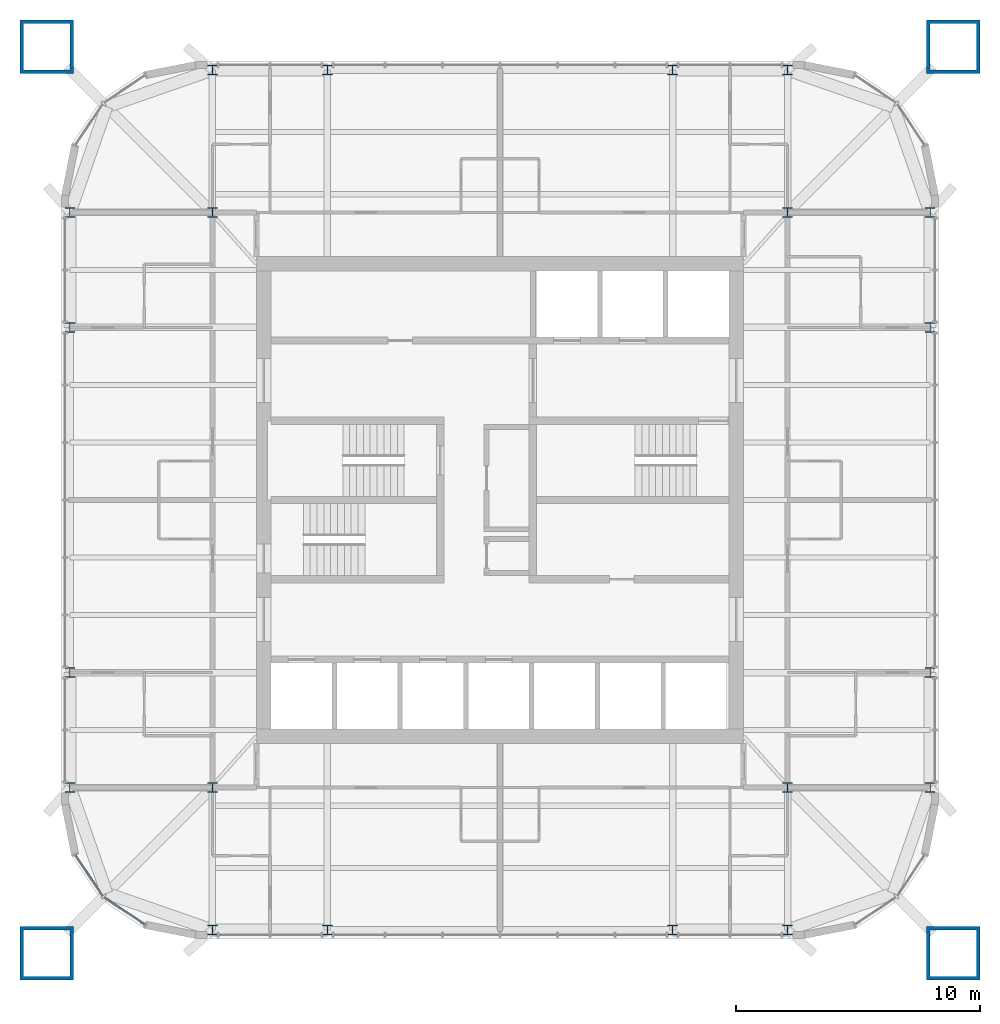
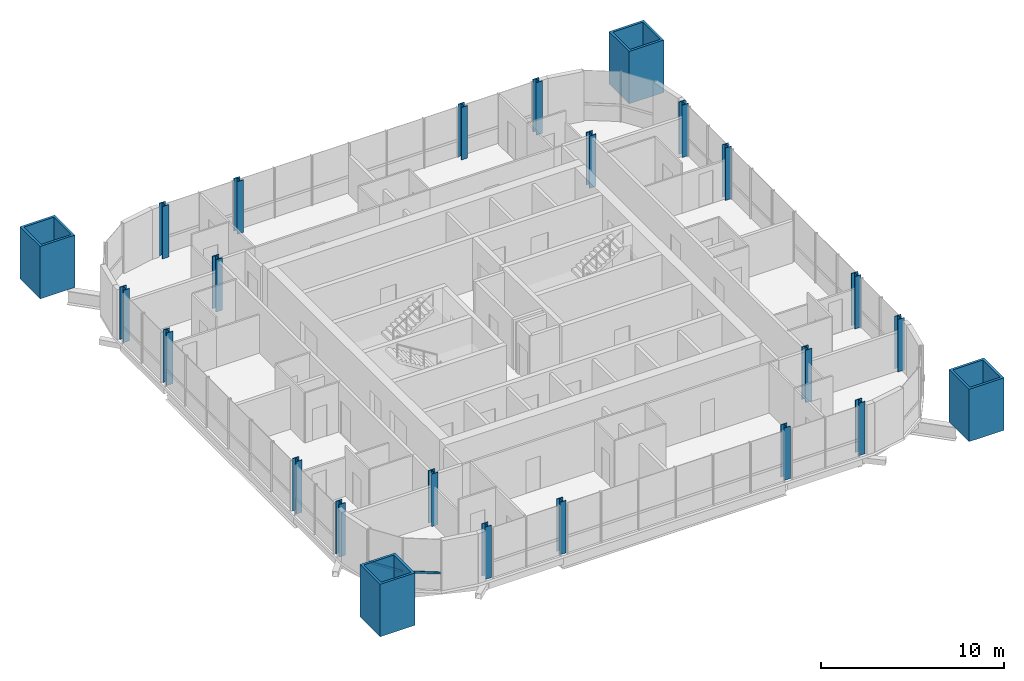
# One storey, part 1 of 12: 24 columns, 2 members, 1 element without a shape of its own.
"""IFC4 building model written with IfcOpenShell, lengths in metres."""

from ifc_helpers import new_model, si_unit, direction, frame, origin, origin_2d, place, context, subcontext, project, spatial, rectangle, hollow_rectangle, i_section, extrude, material, material_profile, profile_set, type_object, element, aggregate, save


model = new_model("IFC4")

# Units and contexts
model_context = context("Model", 3, precision=1e-05, world=origin(), true_north=direction((0.0, 1.0)))
body_context = subcontext(model_context, "Body", "Model", "MODEL_VIEW")
ifc_project = project(units=[si_unit("LENGTHUNIT", "METRE"), si_unit("AREAUNIT", "SQUARE_METRE"), si_unit("VOLUMEUNIT", "CUBIC_METRE"), si_unit("PLANEANGLEUNIT", "RADIAN"), si_unit("MASSUNIT", "GRAM", prefix="KILO")], contexts=[model_context])

# Site, building, storey
site_placement = place(None, origin())
site = spatial("IfcSite", under=ifc_project, at=site_placement, CompositionType="ELEMENT")
building_placement = place(site_placement, origin())
building = spatial("IfcBuilding", under=site, at=building_placement, Name="Turquesa Mirador Hotel Tower", CompositionType="ELEMENT")
storey_placement = place(building_placement, frame((0.0, 0.0, 233.699951171875)))
storey = spatial("IfcBuildingStorey", under=building, at=storey_placement, Name="L63", CompositionType="ELEMENT", Elevation=233.699951171875)

# Columns
ifc_material_1 = material(Name="Steel ASTM A992 Grade 50", Category="steel")
ifc_material_profile_1 = material_profile(ifc_material_1, i_section(OverallWidth=0.398681640625, OverallDepth=0.393798828125, WebThickness=0.022705078125, FlangeThickness=0.03662109375, at=origin_2d()), Name="W14X193")
ifc_profile_set_1 = profile_set([ifc_material_profile_1], Name="Steel ASTM A992 Grade 50")
column_type_1 = type_object("IfcColumnType", Name="COLUMN W14X193", PredefinedType="COLUMN", material=ifc_profile_set_1)
for number, where, z_axis, x_axis, name in (
    (1, (37.35009765625, 33.199951171875, 0.0), (0.0, 0.0, 1.0), (1.0, 0.0, 0.0), "COL-L63-P--17.65--11.80"),
    (2, (37.35009765625, 37.919921875, 0.0), (0.0, 0.0, 1.0), (1.0, 0.0, 0.0), "COL-L63-P--17.65--7.08"),
    (3, (37.35009765625, 52.080078125, 0.0), (0.0, 0.0, 1.0), (1.0, 0.0, 0.0), "COL-L63-P--17.65-+7.08"),
    (4, (37.35009765625, 56.800048828125, 0.0), (0.0, 0.0, 1.0), (1.0, 0.0, 0.0), "COL-L63-P--17.65-+11.80"),
    (5, (43.199951171875, 27.35009765625, 0.0), (0.0, 0.0, 1.0), (1.0, 0.0, 0.0), "COL-L63-P--11.80--17.65"),
    (6, (43.199951171875, 62.64990234375, 0.0), (0.0, 0.0, 1.0), (1.0, 0.0, 0.0), "COL-L63-P--11.80-+17.65"),
    (7, (47.919921875, 27.35009765625, 0.0), (0.0, 0.0, 1.0), (1.0, 0.0, 0.0), "COL-L63-P--7.08--17.65"),
    (8, (47.919921875, 62.64990234375, 0.0), (0.0, 0.0, 1.0), (1.0, 0.0, 0.0), "COL-L63-P--7.08-+17.65"),
    (9, (62.080078125, 27.35009765625, 0.0), (0.0, 0.0, 1.0), (1.0, 0.0, 0.0), "COL-L63-P-+7.08--17.65"),
    (10, (62.080078125, 62.64990234375, 0.0), (0.0, 0.0, 1.0), (1.0, 0.0, 0.0), "COL-L63-P-+7.08-+17.65"),
    (11, (66.800048828125, 27.35009765625, 0.0), (0.0, 0.0, 1.0), (1.0, 0.0, 0.0), "COL-L63-P-+11.80--17.65"),
    (12, (66.800048828125, 62.64990234375, 0.0), (0.0, 0.0, 1.0), (1.0, 0.0, 0.0), "COL-L63-P-+11.80-+17.65"),
    (13, (72.64990234375, 33.199951171875, 0.0), (0.0, 0.0, 1.0), (1.0, 0.0, 0.0), "COL-L63-P-+17.65--11.80"),
    (14, (72.64990234375, 37.919921875, 0.0), (0.0, 0.0, 1.0), (1.0, 0.0, 0.0), "COL-L63-P-+17.65--7.08"),
    (15, (72.64990234375, 52.080078125, 0.0), (0.0, 0.0, 1.0), (1.0, 0.0, 0.0), "COL-L63-P-+17.65-+7.08"),
    (16, (72.64990234375, 56.800048828125, 0.0), (0.0, 0.0, 1.0), (1.0, 0.0, 0.0), "COL-L63-P-+17.65-+11.80"),
):
    element("IfcColumn", number, at=place(storey_placement, frame(where, z_axis=z_axis, x_axis=x_axis)), inside=storey, type_object=column_type_1, Name=name, PredefinedType="COLUMN", context=body_context, shape_type="SweptSolid", body=[
        extrude(i_section(OverallWidth=0.398681640625, OverallDepth=0.393798828125, WebThickness=0.022705078125, FlangeThickness=0.03662109375, at=origin_2d()), origin(), (0.0, 0.0, 1.0), 3.5),
    ])
ifc_material_2 = material(Name="Steel ASTM A992 Grade 50", Category="steel")
ifc_material_profile_2 = material_profile(ifc_material_2, i_section(OverallWidth=0.406494140625, OverallDepth=0.41650390625, WebThickness=0.030029296875, FlangeThickness=0.048095703125, at=origin_2d()), Name="W14X257")
ifc_profile_set_2 = profile_set([ifc_material_profile_2], Name="Steel ASTM A992 Grade 50")
column_type_2 = type_object("IfcColumnType", Name="COLUMN W14X257", PredefinedType="COLUMN", material=ifc_profile_set_2)
for number, where, z_axis, x_axis, name in (
    (17, (43.199951171875, 33.199951171875, 0.0), (0.0, 0.0, 1.0), (1.0, 0.0, 0.0), "COL-L63-K--11.80--11.80"),
    (18, (43.199951171875, 56.800048828125, 0.0), (0.0, 0.0, 1.0), (1.0, 0.0, 0.0), "COL-L63-K--11.80-+11.80"),
    (19, (66.800048828125, 33.199951171875, 0.0), (0.0, 0.0, 1.0), (1.0, 0.0, 0.0), "COL-L63-K-+11.80--11.80"),
    (20, (66.800048828125, 56.800048828125, 0.0), (0.0, 0.0, 1.0), (1.0, 0.0, 0.0), "COL-L63-K-+11.80-+11.80"),
):
    element("IfcColumn", number, at=place(storey_placement, frame(where, z_axis=z_axis, x_axis=x_axis)), inside=storey, type_object=column_type_2, Name=name, PredefinedType="COLUMN", context=body_context, shape_type="SweptSolid", body=[
        extrude(i_section(OverallWidth=0.406494140625, OverallDepth=0.41650390625, WebThickness=0.030029296875, FlangeThickness=0.048095703125, at=origin_2d()), origin(), (0.0, 0.0, 1.0), 3.5),
    ])
ifc_material_3 = material(Name="Steel ASTM A514 Grade Q", Category="steel")
ifc_material_profile_3 = material_profile(ifc_material_3, hollow_rectangle(XDim=2.199951171875, YDim=2.199951171875, WallThickness=0.14990234375, at=origin_2d()), Name="BOX2200X2200X150")
ifc_profile_set_3 = profile_set([ifc_material_profile_3], Name="Steel ASTM A514 Grade Q")
column_type_3 = type_object("IfcColumnType", Name="MEGA COLUMN BOX2200X2200X150", PredefinedType="COLUMN", material=ifc_profile_set_3)
for number, where, z_axis, x_axis, name in (
    (21, (73.60009765625, 63.60009765625, 0.0), (0.0, 0.0, 1.0), (1.0, 0.0, 0.0), "Mega column M1"),
    (22, (36.39990234375, 63.60009765625, 0.0), (0.0, 0.0, 1.0), (1.0, 0.0, 0.0), "Mega column M2"),
    (23, (36.39990234375, 26.39990234375, 0.0), (0.0, 0.0, 1.0), (1.0, 0.0, 0.0), "Mega column M3"),
    (24, (73.60009765625, 26.39990234375, 0.0), (0.0, 0.0, 1.0), (1.0, 0.0, 0.0), "Mega column M4"),
):
    element("IfcColumn", number, at=place(storey_placement, frame(where, z_axis=z_axis, x_axis=x_axis)), inside=storey, type_object=column_type_3, Name=name, PredefinedType="COLUMN", context=body_context, shape_type="SweptSolid", body=[
        extrude(hollow_rectangle(XDim=2.199951171875, YDim=2.199951171875, WallThickness=0.14990234375, at=origin_2d()), origin(), (0.0, 0.0, 1.0), 3.5),
    ])

# Curtain wall, members
ifc_material_4 = material(Name="Aluminium extrusion", Category="aluminium")
curtain_wall_type = type_object("IfcCurtainWallType", Name="CW-4 SUITE FRITTED CURTAIN WALL", PredefinedType="USERDEFINED", material=ifc_material_4)
curtain_wall_placement = place(storey_placement, origin())
curtain_wall = element("IfcCurtainWall", 25, at=curtain_wall_placement, inside=storey, type_object=curtain_wall_type, Name="CW-4 SUITE FRITTED CURTAIN WALL L63", ObjectType="CURTAIN WALL", PredefinedType="USERDEFINED")
ifc_material_5 = material(Name="Aluminium extrusion", Category="aluminium")
ifc_material_profile_4 = material_profile(ifc_material_5, rectangle(XDim=0.06494140625, YDim=0.14990234375, at=origin_2d()), Name="TRANSOM 65X150")
ifc_profile_set_4 = profile_set([ifc_material_profile_4], Name="Aluminium extrusion")
member_type = type_object("IfcMemberType", Name="CW TRANSOM 65X150", PredefinedType="USERDEFINED", material=ifc_profile_set_4)
member_1_placement = place(storey_placement, frame((37.5751953125, 30.425537109375, 1.10009765625), z_axis=(0.555619095835, -0.831436961136, 0.0), x_axis=(0.831436961136, 0.555619095835, 0.0)))
member_1 = element("IfcMember", 26, at=member_1_placement, type_object=member_type, Name="Transom", ObjectType="TRANSOM", PredefinedType="USERDEFINED", context=body_context, shape_type="SweptSolid", body=[
    extrude(rectangle(XDim=0.06494140625, YDim=0.14990234375, at=origin_2d()), origin(), (0.0, 0.0, 1.0), 2.0224609375),
])
member_2_placement = place(storey_placement, frame((38.743896484375, 28.698974609375, 1.10009765625), z_axis=(0.831436961136, -0.555619095835, 0.0), x_axis=(0.555619095835, 0.831436961136, 0.0)))
member_2 = element("IfcMember", 27, at=member_2_placement, type_object=member_type, Name="Transom", ObjectType="TRANSOM", PredefinedType="USERDEFINED", context=body_context, shape_type="SweptSolid", body=[
    extrude(rectangle(XDim=0.06494140625, YDim=0.14990234375, at=origin_2d()), origin(), (0.0, 0.0, 1.0), 2.0224609375),
])
aggregate(curtain_wall, [member_1, member_2])

save(model, "model.ifc")
